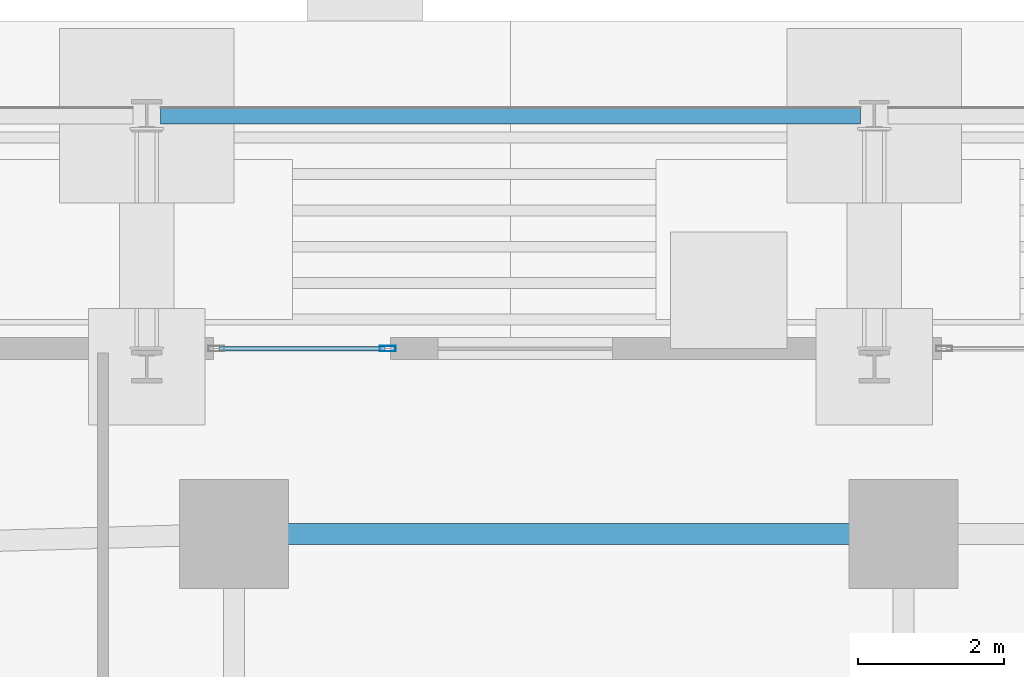
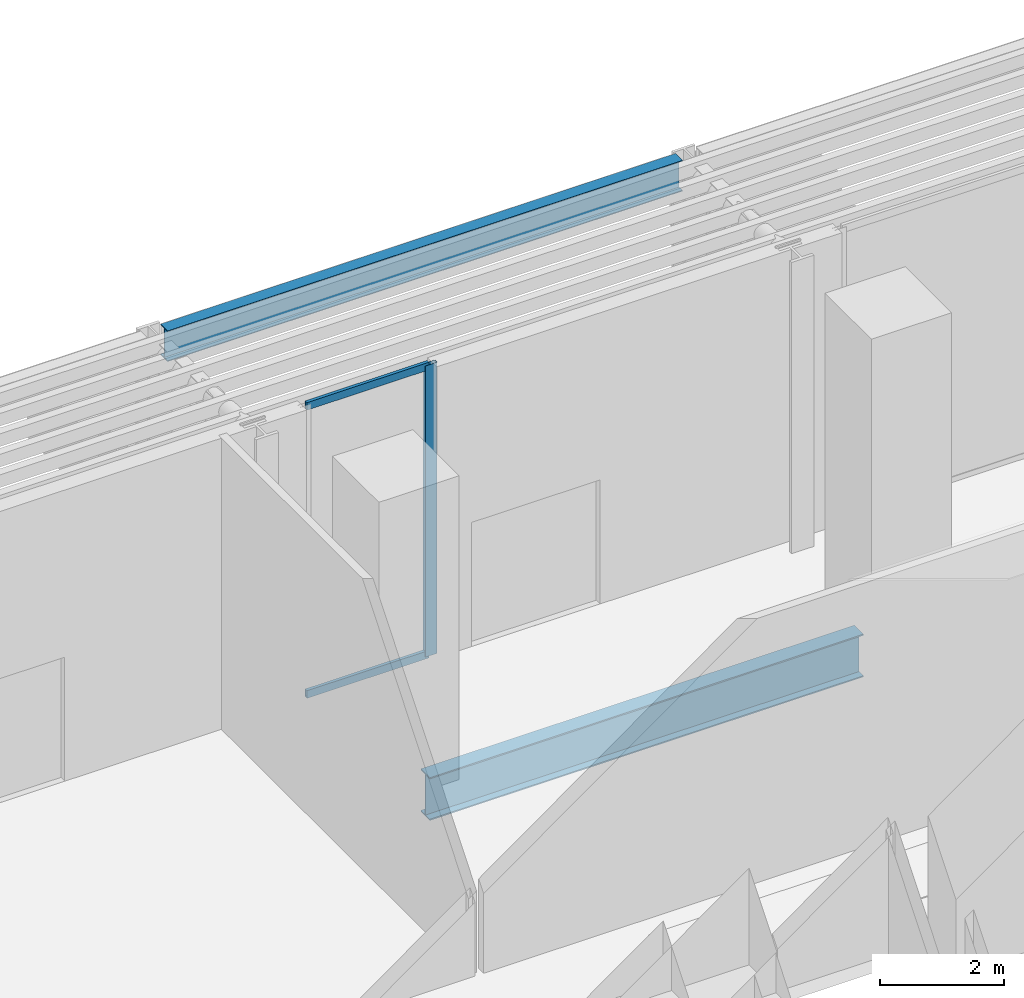
# One storey, part 16 of 39: 3 members, 2 beams, 1 element without a shape of its own.
"""IFC4 building model written with IfcOpenShell, lengths in metres."""

from ifc_helpers import new_model, si_unit, direction, frame, origin, origin_2d, place, context, subcontext, project, spatial, hollow_rectangle, i_section, extrude, material, layer, layer_set, material_profile, profile_set, type_object, element, aggregate, save


model = new_model("IFC4")

# Units and contexts
model_context = context("Model", 3, precision=1e-05, world=origin(), true_north=direction((0.0, 1.0)))
body_context = subcontext(model_context, "Body", "Model", "MODEL_VIEW")
ifc_project = project(units=[si_unit("LENGTHUNIT", "METRE"), si_unit("AREAUNIT", "SQUARE_METRE"), si_unit("VOLUMEUNIT", "CUBIC_METRE"), si_unit("PLANEANGLEUNIT", "RADIAN"), si_unit("MASSUNIT", "GRAM", prefix="KILO")], contexts=[model_context])

# Site, building, storey
site_placement = place(None, origin())
site = spatial("IfcSite", under=ifc_project, at=site_placement, CompositionType="ELEMENT")
building_placement = place(site_placement, origin())
building = spatial("IfcBuilding", under=site, at=building_placement, Name="Zuhayl Quay Hotel", CompositionType="ELEMENT")
storey_placement = place(building_placement, origin())
storey = spatial("IfcBuildingStorey", under=building, at=storey_placement, Name="L00", CompositionType="ELEMENT", Elevation=0.0)

# Beams
ifc_material_1 = material(Name="Steel ASTM A992 Grade 50", Category="steel")
ifc_material_profile_1 = material_profile(ifc_material_1, i_section(OverallWidth=0.22802734375, OverallDepth=0.60693359375, WebThickness=0.01123046875, FlangeThickness=0.017333984375, at=origin_2d()), Name="W24X76")
ifc_profile_set_1 = profile_set([ifc_material_profile_1], Name="Steel ASTM A992 Grade 50")
beam_type_1 = type_object("IfcBeamType", Name="BM_B3_W24X76", PredefinedType="BEAM", material=ifc_profile_set_1)
beam_1_placement = place(storey_placement, frame((-14.81005859375, 28.199951171875, 5.300048828125), z_axis=(1.0, 0.0, 0.0), x_axis=(0.0, 1.0, 0.0)))
element("IfcBeam", 1, at=beam_1_placement, inside=storey, type_object=beam_type_1, Name="Waterfront Colonnade Canopy Girder 2", PredefinedType="BEAM", context=body_context, shape_type="SweptSolid", body=[
    extrude(i_section(OverallWidth=0.22802734375, OverallDepth=0.60693359375, WebThickness=0.01123046875, FlangeThickness=0.017333984375, at=origin_2d()), origin(), (0.0, 0.0, 1.0), 9.6201171875),
])
ifc_material_profile_2 = material_profile(ifc_material_1, i_section(OverallWidth=0.2919921875, OverallDepth=0.845947265625, WebThickness=0.015380859375, FlangeThickness=0.0244140625, at=origin_2d()), Name="W33X141")
ifc_profile_set_2 = profile_set([ifc_material_profile_2], Name="Steel ASTM A992 Grade 50")
beam_type_2 = type_object("IfcBeamType", Name="BM_PG3_W33X141", PredefinedType="BEAM", material=ifc_profile_set_2)
beam_2_placement = place(storey_placement, frame((-13.25, 22.449951171875, -0.68310546875), z_axis=(1.0, 0.0, 0.0), x_axis=(0.0, 1.0, 0.0)))
element("IfcBeam", 2, at=beam_2_placement, inside=storey, type_object=beam_type_2, Name="L00 Floor Beam PG_N_L00_2", PredefinedType="BEAM", context=body_context, shape_type="SweptSolid", body=[
    extrude(i_section(OverallWidth=0.2919921875, OverallDepth=0.845947265625, WebThickness=0.015380859375, FlangeThickness=0.0244140625, at=origin_2d()), origin(), (0.0, 0.0, 1.0), 8.10009765625),
])

# Curtain wall, members
ifc_material_2 = material(Name="Anodised Aluminium 6063-T6", Category="aluminium")
ifc_layer = layer(ifc_material_2, 0.199951171875, Name="Anodised Aluminium 6063-T6", Category="aluminium")
ifc_layer_set = layer_set([ifc_layer], Name="Anodised Aluminium 6063-T6")
curtain_wall_type = type_object("IfcCurtainWallType", Name="CW_SYS_POD", PredefinedType="USERDEFINED", material=ifc_layer_set)
curtain_wall_placement = place(storey_placement, origin())
curtain_wall = element("IfcCurtainWall", 3, at=curtain_wall_placement, inside=storey, type_object=curtain_wall_type, Name="L00 Curtain Wall ENV_L00_E05_CW2", ObjectType="UNITISED CURTAIN WALL", PredefinedType="USERDEFINED")
ifc_material_3 = material(Name="Black-anodised aluminium 6063-T6", Category="aluminium")
ifc_material_profile_3 = material_profile(ifc_material_3, hollow_rectangle(XDim=0.074951171875, YDim=0.219970703125, WallThickness=0.00390625, at=origin_2d()), Name="ALU220X75")
ifc_profile_set_3 = profile_set([ifc_material_profile_3], Name="Black-anodised aluminium 6063-T6")
member_type_1 = type_object("IfcMemberType", Name="MB_CW_MUL_220", PredefinedType="MULLION", material=ifc_profile_set_3)
member_1_placement = place(storey_placement, frame((-11.6875, 25.0, 0.0), z_axis=(0.0, 0.0, 1.0), x_axis=(0.0, 1.0, 0.0)))
member_1 = element("IfcMember", 4, at=member_1_placement, type_object=member_type_1, Name="CW-POD mullion 2", PredefinedType="MULLION", context=body_context, shape_type="SweptSolid", body=[
    extrude(hollow_rectangle(XDim=0.074951171875, YDim=0.219970703125, WallThickness=0.00390625, at=origin_2d()), origin(), (0.0, 0.0, 1.0), 5.75),
])
ifc_material_profile_4 = material_profile(ifc_material_3, hollow_rectangle(XDim=0.06005859375, YDim=0.14990234375, WallThickness=0.00341796875, at=origin_2d()), Name="ALU150X60")
ifc_profile_set_4 = profile_set([ifc_material_profile_4], Name="Black-anodised aluminium 6063-T6")
member_type_2 = type_object("IfcMemberType", Name="MB_CW_TRN_150", PredefinedType="USERDEFINED", material=ifc_profile_set_4)
member_2_placement = place(storey_placement, frame((-14.0048828125, 25.0, 0.030029296875), z_axis=(1.0, 0.0, 0.0), x_axis=(0.0, 1.0, 0.0)))
member_2 = element("IfcMember", 5, at=member_2_placement, type_object=member_type_2, Name="CW-POD transom 1.1", ObjectType="TRANSOM", PredefinedType="USERDEFINED", context=body_context, shape_type="SweptSolid", body=[
    extrude(hollow_rectangle(XDim=0.06005859375, YDim=0.14990234375, WallThickness=0.00341796875, at=origin_2d()), origin(), (0.0, 0.0, 1.0), 2.27978515625),
])
member_3_placement = place(storey_placement, frame((-14.0048828125, 25.0, 5.719970703125), z_axis=(1.0, 0.0, 0.0), x_axis=(0.0, 1.0, 0.0)))
member_3 = element("IfcMember", 6, at=member_3_placement, type_object=member_type_2, Name="CW-POD transom 1.2", ObjectType="TRANSOM", PredefinedType="USERDEFINED", context=body_context, shape_type="SweptSolid", body=[
    extrude(hollow_rectangle(XDim=0.06005859375, YDim=0.14990234375, WallThickness=0.00341796875, at=origin_2d()), origin(), (0.0, 0.0, 1.0), 2.27978515625),
])
aggregate(curtain_wall, [member_1, member_2, member_3])

save(model, "model.ifc")
